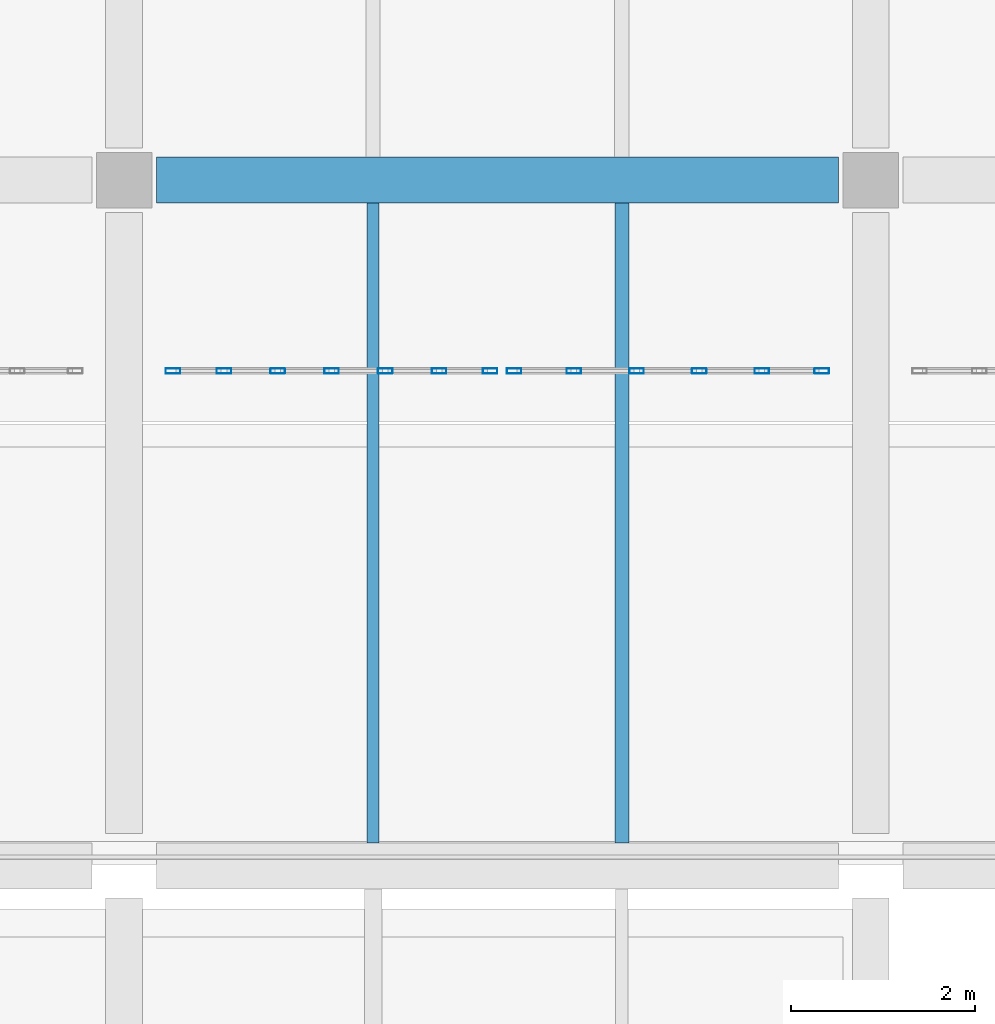
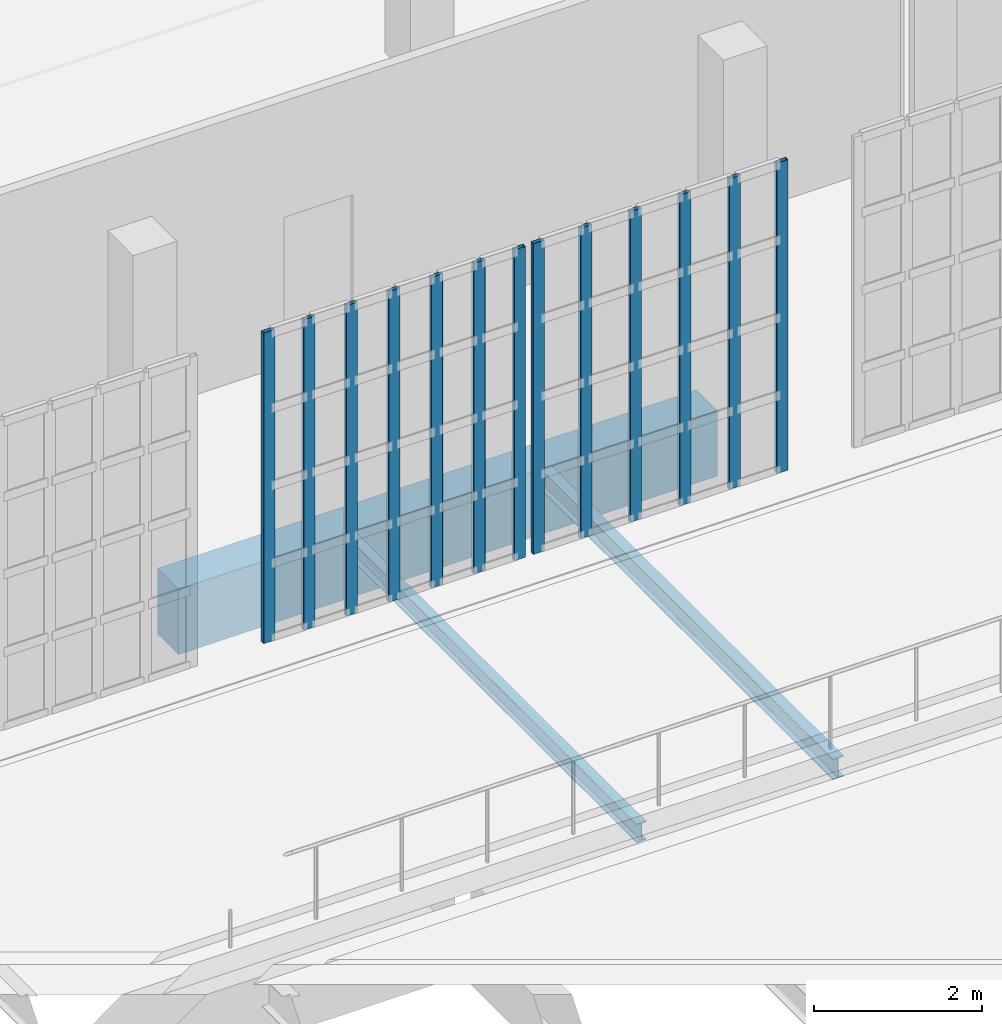
# One storey, part 14 of 104: 13 members, 3 beams, 2 elements without a shape of their own.
"""IFC4 building model written with IfcOpenShell, lengths in metres."""

import ifcopenshell
import ifcopenshell.guid

model = None  # the IFC model being written
_history = None  # IfcOwnerHistory: only IFC2X3 demands one
_inside = {}  # id of a spatial element -> (the spatial element, [elements in it])
_under = {}  # id of a project, library or spatial element -> (it, [spatial elements below it])
_declared = {}  # id of a project -> (the project, [libraries it declares])
_typed = {}  # id of a type object -> (the type object, [elements of that type])
_made_of = {}  # id of a material, layer set ... -> (it, [elements and type objects made of it])


def new_model(schema):
    """Start an empty IFC model of exactly this schema.

    Asked for "IFC4X3", IfcOpenShell would pick the latest addendum, in which some entities
    have other attributes; the version numbers below select the first issue.
    IFC2X3 requires an IfcOwnerHistory on every rooted entity: one is made here for all.
    """
    global model, _history
    if schema == "IFC4X3":
        model = ifcopenshell.file(schema_version=(4, 3, 0, 0))
    else:
        model = ifcopenshell.file(schema=schema)
    _inside.clear()
    _under.clear()
    _declared.clear()
    _typed.clear()
    _made_of.clear()
    _history = None
    if model.schema == "IFC2X3":
        org = make("IfcOrganization", Name="unknown")
        user = make(
            "IfcPersonAndOrganization",
            ThePerson=make("IfcPerson", FamilyName="unknown"),
            TheOrganization=org,
        )
        app = make(
            "IfcApplication",
            ApplicationDeveloper=org,
            Version="unknown",
            ApplicationFullName="unknown",
            ApplicationIdentifier="unknown",
        )
        _history = make(
            "IfcOwnerHistory",
            OwningUser=user,
            OwningApplication=app,
            ChangeAction="ADDED",
            CreationDate=0,
        )
    return model


def make(cls, **values):
    """One entity of the class cls with the attributes given. An attribute that is None is left unset."""
    return model.create_entity(
        cls, **{name: value for name, value in values.items() if value is not None}
    )


def rooted(cls, **values):
    """An entity with a GlobalId (a new one), such as an element, a storey or a relation."""
    return make(cls, GlobalId=ifcopenshell.guid.new(), OwnerHistory=_history, **values)


def si_unit(unit_type, name, prefix=None):
    """IfcSIUnit, for example si_unit("LENGTHUNIT", "METRE", prefix="MILLI")."""
    return make("IfcSIUnit", UnitType=unit_type, Prefix=prefix, Name=name)


def assignment(units):
    """IfcUnitAssignment: the units of a project."""
    return None if units is None else make("IfcUnitAssignment", Units=units)


def point(xyz):
    """IfcCartesianPoint."""
    return None if xyz is None else make("IfcCartesianPoint", Coordinates=xyz)


def direction(xyz):
    """IfcDirection."""
    return None if xyz is None else make("IfcDirection", DirectionRatios=xyz)


def frame(location, z_axis=None, x_axis=None):
    """IfcAxis2Placement3D, a coordinate frame: its origin and axes. An axis left out is left unset."""
    return make(
        "IfcAxis2Placement3D",
        Location=point(location),
        Axis=direction(z_axis),
        RefDirection=direction(x_axis),
    )


def frame_2d(location, x_axis=None):
    """IfcAxis2Placement2D, a coordinate frame in the plane: its origin and x axis."""
    return make(
        "IfcAxis2Placement2D", Location=point(location), RefDirection=direction(x_axis)
    )


def origin():
    """The frame at (0, 0, 0) with its axes left unset."""
    return frame((0.0, 0.0, 0.0))


def origin_2d():
    """The frame at (0, 0) in the plane with its x axis left unset."""
    return frame_2d((0.0, 0.0))


def place(relative_to, where):
    """IfcLocalPlacement: puts the frame where relative to a parent placement (None: the world)."""
    return make(
        "IfcLocalPlacement", PlacementRelTo=relative_to, RelativePlacement=where
    )


def context(
    kind, dimensions, precision=None, world=None, true_north=None, identifier=None
):
    """IfcGeometricRepresentationContext, for example the 3D "Model" context."""
    return make(
        "IfcGeometricRepresentationContext",
        ContextIdentifier=identifier,
        ContextType=kind,
        CoordinateSpaceDimension=dimensions,
        Precision=precision,
        WorldCoordinateSystem=world,
        TrueNorth=true_north,
    )


def subcontext(parent, identifier, kind, view, scale=None):
    """IfcGeometricRepresentationSubContext, for example "Body" below "Model"."""
    return make(
        "IfcGeometricRepresentationSubContext",
        ContextIdentifier=identifier,
        ContextType=kind,
        ParentContext=parent,
        TargetScale=scale,
        TargetView=view,
    )


def project(units=None, contexts=None):
    """IfcProject with its units and contexts."""
    return rooted(
        "IfcProject",
        Name="project",
        RepresentationContexts=contexts,
        UnitsInContext=assignment(units),
    )


def spatial(cls, under=None, at=None, **own):
    """A site, building, storey or space (cls), placed at a placement, below another one or the project."""
    s = rooted(cls, ObjectPlacement=at, **own)
    if under is not None:
        _under.setdefault(under.id(), (under, []))[1].append(s)
    return s


def profile(cls, at=None, kind="AREA", **sizes):
    """A parametric profile (cls). Its sizes go by their IFC names, for example OverallWidth=200.0."""
    return make(cls, ProfileType=kind, Position=at, **sizes)


def rectangle(**sizes):
    """IfcRectangleProfileDef."""
    return profile("IfcRectangleProfileDef", **sizes)


def hollow_rectangle(**sizes):
    """IfcRectangleHollowProfileDef."""
    return profile("IfcRectangleHollowProfileDef", **sizes)


def i_section(**sizes):
    """IfcIShapeProfileDef."""
    return profile("IfcIShapeProfileDef", **sizes)


def extrude(swept, where, along, depth):
    """IfcExtrudedAreaSolid: the profile swept, set in the frame where, extruded along a direction by depth."""
    return make(
        "IfcExtrudedAreaSolid",
        SweptArea=swept,
        Position=where,
        ExtrudedDirection=direction(along),
        Depth=depth,
    )


def shape(context_of_items, identifier, shape_type, items):
    """IfcShapeRepresentation: the items that make up one representation, for example the "Body"."""
    return make(
        "IfcShapeRepresentation",
        ContextOfItems=context_of_items,
        RepresentationIdentifier=identifier,
        RepresentationType=shape_type,
        Items=items,
    )


def material(Name=None, Category=None):
    """IfcMaterial."""
    return make("IfcMaterial", Name=Name, Category=Category)


def material_profile(
    of_material, cross_section, Name=None, Category=None, Priority=None
):
    """IfcMaterialProfile: a cross section and its material."""
    return make(
        "IfcMaterialProfile",
        Name=Name,
        Material=of_material,
        Profile=cross_section,
        Priority=Priority,
        Category=Category,
    )


def profile_set(profiles, Name=None, composite=None):
    """IfcMaterialProfileSet."""
    return make(
        "IfcMaterialProfileSet",
        Name=Name,
        MaterialProfiles=profiles,
        CompositeProfile=composite,
    )


def made_of(thing, what):
    """Note that an element or type object is made of a material, layer set ...; save() writes the relation."""
    if what is not None:
        _made_of.setdefault(what.id(), (what, []))[1].append(thing)
    return thing


def type_object(cls, material=None, **own):
    """A type object (cls), such as IfcWallType, which elements share."""
    return made_of(rooted(cls, **own), material)


def element(
    cls,
    number,
    at=None,
    inside=None,
    cuts=None,
    type_object=None,
    material=None,
    context=None,
    identifier="Body",
    shape_type=None,
    held_by="IfcProductDefinitionShape",
    body=None,
    shapes=None,
    **own,
):
    """One element of the class cls, such as IfcWall. Its Tag is "e" and its number.

    at: its placement. inside: the storey or other place that contains it. cuts: it is an
    opening in that element (IfcRelVoidsElement). A single representation is given by context,
    identifier, shape_type and body (its items); several are given by shapes. held_by: the class
    of the entity that holds the representations. save() writes the other relations.
    """
    e = rooted(cls, Tag="e%d" % number, ObjectPlacement=at, **own)
    if body is not None:
        shapes = [shape(context, identifier, shape_type, body)]
    if shapes is not None:
        e.Representation = make(held_by, Representations=shapes)
    if inside is not None:
        _inside.setdefault(inside.id(), (inside, []))[1].append(e)
    if cuts is not None:
        rooted(
            "IfcRelVoidsElement", RelatingBuildingElement=cuts, RelatedOpeningElement=e
        )
    if type_object is not None:
        _typed.setdefault(type_object.id(), (type_object, []))[1].append(e)
    return made_of(e, material)


def aggregate(whole, parts):
    """IfcRelAggregates: a whole, such as a stair, and the parts it consists of."""
    return rooted("IfcRelAggregates", RelatingObject=whole, RelatedObjects=parts)


def save(model, path):
    """Write the relations noted so far, then the file.

    IfcRelAggregates (storeys below a building ...), IfcRelContainedInSpatialStructure (elements
    in a storey), IfcRelDefinesByType, IfcRelAssociatesMaterial and IfcRelDeclares: one each for
    every whole, place, type object, material and project.
    """
    for whole, parts in _under.values():
        aggregate(whole, parts)
    for where, things in _inside.values():
        rooted(
            "IfcRelContainedInSpatialStructure",
            RelatedElements=things,
            RelatingStructure=where,
        )
    for kind, things in _typed.values():
        rooted("IfcRelDefinesByType", RelatedObjects=things, RelatingType=kind)
    for what, things in _made_of.values():
        rooted("IfcRelAssociatesMaterial", RelatedObjects=things, RelatingMaterial=what)
    for by, libraries in _declared.values():
        rooted("IfcRelDeclares", RelatingContext=by, RelatedDefinitions=libraries)
    model.write(path)


model = new_model("IFC4")

# Units and contexts
model_context = context("Model", 3, precision=1e-05, world=origin(), true_north=direction((0.0, 1.0)))
body_context = subcontext(model_context, "Body", "Model", "MODEL_VIEW")
ifc_project = project(units=[si_unit("LENGTHUNIT", "METRE"), si_unit("AREAUNIT", "SQUARE_METRE"), si_unit("VOLUMEUNIT", "CUBIC_METRE"), si_unit("PLANEANGLEUNIT", "RADIAN"), si_unit("MASSUNIT", "GRAM", prefix="KILO")], contexts=[model_context])

# Site, building, storey
site_placement = place(None, origin())
site = spatial("IfcSite", under=ifc_project, at=site_placement, CompositionType="ELEMENT")
building_placement = place(site_placement, origin())
building = spatial("IfcBuilding", under=site, at=building_placement, Name="Kaelora Sail Theatre", CompositionType="ELEMENT")
storey_placement = place(building_placement, frame((0.0, 0.0, 5.39990234375)))
storey = spatial("IfcBuildingStorey", under=building, at=storey_placement, Name="L01", CompositionType="ELEMENT", Elevation=5.39990234375)

# Curtain wall, members
ifc_material_1 = material(Name="Anodised aluminium and solar-control low-E IGU", Category="aluminium")
curtain_wall_type = type_object("IfcCurtainWallType", Name="ARC-CW-CW-FOY2", PredefinedType="NOTDEFINED", material=ifc_material_1)
curtain_wall_1_placement = place(storey_placement, origin())
curtain_wall_1 = element("IfcCurtainWall", 1, at=curtain_wall_1_placement, inside=storey, type_object=curtain_wall_type, Name="Glazed Foyer/Conservatory Curtain Wall FW1-S-L01-02", PredefinedType="NOTDEFINED")
ifc_material_2 = material(Name="Anodised aluminium 6063-T6", Category="aluminium")
ifc_material_profile_1 = material_profile(ifc_material_2, hollow_rectangle(XDim=0.06005859375, YDim=0.159912109375, WallThickness=0.00390625, InnerFilletRadius=0.00390625, OuterFilletRadius=0.008056640625, at=origin_2d()), Name="ALU-MULL 60x160x4")
ifc_profile_set_1 = profile_set([ifc_material_profile_1], Name="Anodised aluminium 6063-T6")
member_type = type_object("IfcMemberType", Name="ARC-MEM-ML-160", PredefinedType="MULLION", material=ifc_profile_set_1)
member_1_placement = place(storey_placement, frame((10.1298828125, 66.389892578125, 0.0), z_axis=(0.0, 0.0, 1.0), x_axis=(0.0, 1.0, 0.0)))
member_1 = element("IfcMember", 2, at=member_1_placement, type_object=member_type, Name="CW-FOY2 mullion 1", PredefinedType="MULLION", context=body_context, shape_type="SweptSolid", body=[
    extrude(hollow_rectangle(XDim=0.06005859375, YDim=0.159912109375, WallThickness=0.00390625, InnerFilletRadius=0.00390625, OuterFilletRadius=0.008056640625, at=origin_2d()), origin(), (0.0, 0.0, 1.0), 4.505126953125),
])
member_2_placement = place(storey_placement, frame((10.683349609375, 66.389892578125, 0.0), z_axis=(0.0, 0.0, 1.0), x_axis=(0.0, 1.0, 0.0)))
member_2 = element("IfcMember", 3, at=member_2_placement, type_object=member_type, Name="CW-FOY2 mullion 2", PredefinedType="MULLION", context=body_context, shape_type="SweptSolid", body=[
    extrude(hollow_rectangle(XDim=0.06005859375, YDim=0.159912109375, WallThickness=0.00390625, InnerFilletRadius=0.00390625, OuterFilletRadius=0.008056640625, at=origin_2d()), origin(), (0.0, 0.0, 1.0), 4.505126953125),
])
member_3_placement = place(storey_placement, frame((11.2666015625, 66.389892578125, 0.0), z_axis=(0.0, 0.0, 1.0), x_axis=(0.0, 1.0, 0.0)))
member_3 = element("IfcMember", 4, at=member_3_placement, type_object=member_type, Name="CW-FOY2 mullion 3", PredefinedType="MULLION", context=body_context, shape_type="SweptSolid", body=[
    extrude(hollow_rectangle(XDim=0.06005859375, YDim=0.159912109375, WallThickness=0.00390625, InnerFilletRadius=0.00390625, OuterFilletRadius=0.008056640625, at=origin_2d()), origin(), (0.0, 0.0, 1.0), 4.505126953125),
])
member_4_placement = place(storey_placement, frame((11.85009765625, 66.389892578125, 0.0), z_axis=(0.0, 0.0, 1.0), x_axis=(0.0, 1.0, 0.0)))
member_4 = element("IfcMember", 5, at=member_4_placement, type_object=member_type, Name="CW-FOY2 mullion 4", PredefinedType="MULLION", context=body_context, shape_type="SweptSolid", body=[
    extrude(hollow_rectangle(XDim=0.06005859375, YDim=0.159912109375, WallThickness=0.00390625, InnerFilletRadius=0.00390625, OuterFilletRadius=0.008056640625, at=origin_2d()), origin(), (0.0, 0.0, 1.0), 4.505126953125),
])
member_5_placement = place(storey_placement, frame((12.433349609375, 66.389892578125, 0.0), z_axis=(0.0, 0.0, 1.0), x_axis=(0.0, 1.0, 0.0)))
member_5 = element("IfcMember", 6, at=member_5_placement, type_object=member_type, Name="CW-FOY2 mullion 5", PredefinedType="MULLION", context=body_context, shape_type="SweptSolid", body=[
    extrude(hollow_rectangle(XDim=0.06005859375, YDim=0.159912109375, WallThickness=0.00390625, InnerFilletRadius=0.00390625, OuterFilletRadius=0.008056640625, at=origin_2d()), origin(), (0.0, 0.0, 1.0), 4.505126953125),
])
member_6_placement = place(storey_placement, frame((13.0166015625, 66.389892578125, 0.0), z_axis=(0.0, 0.0, 1.0), x_axis=(0.0, 1.0, 0.0)))
member_6 = element("IfcMember", 7, at=member_6_placement, type_object=member_type, Name="CW-FOY2 mullion 6", PredefinedType="MULLION", context=body_context, shape_type="SweptSolid", body=[
    extrude(hollow_rectangle(XDim=0.06005859375, YDim=0.159912109375, WallThickness=0.00390625, InnerFilletRadius=0.00390625, OuterFilletRadius=0.008056640625, at=origin_2d()), origin(), (0.0, 0.0, 1.0), 4.505126953125),
])
member_7_placement = place(storey_placement, frame((13.570068359375, 66.389892578125, 0.0), z_axis=(0.0, 0.0, 1.0), x_axis=(0.0, 1.0, 0.0)))
member_7 = element("IfcMember", 8, at=member_7_placement, type_object=member_type, Name="CW-FOY2 mullion 7", PredefinedType="MULLION", context=body_context, shape_type="SweptSolid", body=[
    extrude(hollow_rectangle(XDim=0.06005859375, YDim=0.159912109375, WallThickness=0.00390625, InnerFilletRadius=0.00390625, OuterFilletRadius=0.008056640625, at=origin_2d()), origin(), (0.0, 0.0, 1.0), 4.505126953125),
])
aggregate(curtain_wall_1, [member_1, member_2, member_3, member_4, member_5, member_6, member_7])

curtain_wall_2_placement = place(storey_placement, origin())
curtain_wall_2 = element("IfcCurtainWall", 9, at=curtain_wall_2_placement, inside=storey, type_object=curtain_wall_type, Name="Glazed Foyer/Conservatory Curtain Wall FW1-S-L01-03", PredefinedType="NOTDEFINED")
member_8_placement = place(storey_placement, frame((13.830078125, 66.389892578125, 0.0), z_axis=(0.0, 0.0, 1.0), x_axis=(0.0, 1.0, 0.0)))
member_8 = element("IfcMember", 10, at=member_8_placement, type_object=member_type, Name="CW-FOY2 mullion 1", PredefinedType="MULLION", context=body_context, shape_type="SweptSolid", body=[
    extrude(hollow_rectangle(XDim=0.06005859375, YDim=0.159912109375, WallThickness=0.00390625, InnerFilletRadius=0.00390625, OuterFilletRadius=0.008056640625, at=origin_2d()), origin(), (0.0, 0.0, 1.0), 4.505126953125),
])
member_9_placement = place(storey_placement, frame((14.47998046875, 66.389892578125, 0.0), z_axis=(0.0, 0.0, 1.0), x_axis=(0.0, 1.0, 0.0)))
member_9 = element("IfcMember", 11, at=member_9_placement, type_object=member_type, Name="CW-FOY2 mullion 2", PredefinedType="MULLION", context=body_context, shape_type="SweptSolid", body=[
    extrude(hollow_rectangle(XDim=0.06005859375, YDim=0.159912109375, WallThickness=0.00390625, InnerFilletRadius=0.00390625, OuterFilletRadius=0.008056640625, at=origin_2d()), origin(), (0.0, 0.0, 1.0), 4.505126953125),
])
member_10_placement = place(storey_placement, frame((15.159912109375, 66.389892578125, 0.0), z_axis=(0.0, 0.0, 1.0), x_axis=(0.0, 1.0, 0.0)))
member_10 = element("IfcMember", 12, at=member_10_placement, type_object=member_type, Name="CW-FOY2 mullion 3", PredefinedType="MULLION", context=body_context, shape_type="SweptSolid", body=[
    extrude(hollow_rectangle(XDim=0.06005859375, YDim=0.159912109375, WallThickness=0.00390625, InnerFilletRadius=0.00390625, OuterFilletRadius=0.008056640625, at=origin_2d()), origin(), (0.0, 0.0, 1.0), 4.505126953125),
])
member_11_placement = place(storey_placement, frame((15.840087890625, 66.389892578125, 0.0), z_axis=(0.0, 0.0, 1.0), x_axis=(0.0, 1.0, 0.0)))
member_11 = element("IfcMember", 13, at=member_11_placement, type_object=member_type, Name="CW-FOY2 mullion 4", PredefinedType="MULLION", context=body_context, shape_type="SweptSolid", body=[
    extrude(hollow_rectangle(XDim=0.06005859375, YDim=0.159912109375, WallThickness=0.00390625, InnerFilletRadius=0.00390625, OuterFilletRadius=0.008056640625, at=origin_2d()), origin(), (0.0, 0.0, 1.0), 4.505126953125),
])
member_12_placement = place(storey_placement, frame((16.52001953125, 66.389892578125, 0.0), z_axis=(0.0, 0.0, 1.0), x_axis=(0.0, 1.0, 0.0)))
member_12 = element("IfcMember", 14, at=member_12_placement, type_object=member_type, Name="CW-FOY2 mullion 5", PredefinedType="MULLION", context=body_context, shape_type="SweptSolid", body=[
    extrude(hollow_rectangle(XDim=0.06005859375, YDim=0.159912109375, WallThickness=0.00390625, InnerFilletRadius=0.00390625, OuterFilletRadius=0.008056640625, at=origin_2d()), origin(), (0.0, 0.0, 1.0), 4.505126953125),
])
member_13_placement = place(storey_placement, frame((17.169921875, 66.389892578125, 0.0), z_axis=(0.0, 0.0, 1.0), x_axis=(0.0, 1.0, 0.0)))
member_13 = element("IfcMember", 15, at=member_13_placement, type_object=member_type, Name="CW-FOY2 mullion 6", PredefinedType="MULLION", context=body_context, shape_type="SweptSolid", body=[
    extrude(hollow_rectangle(XDim=0.06005859375, YDim=0.159912109375, WallThickness=0.00390625, InnerFilletRadius=0.00390625, OuterFilletRadius=0.008056640625, at=origin_2d()), origin(), (0.0, 0.0, 1.0), 4.505126953125),
])
aggregate(curtain_wall_2, [member_8, member_9, member_10, member_11, member_12, member_13])

# Beams
ifc_material_3 = material(Name="Concrete C45/55", Category="concrete")
ifc_material_profile_2 = material_profile(ifc_material_3, rectangle(XDim=0.5, YDim=0.949951171875, at=origin_2d()), Name="RC-GRD 500x950")
ifc_profile_set_2 = profile_set([ifc_material_profile_2], Name="Concrete C45/55")
beam_type_1 = type_object("IfcBeamType", Name="STR-BM-GR-RC5095", PredefinedType="T_BEAM", material=ifc_profile_set_2)
beam_1_placement = place(storey_placement, frame((9.949951171875, 68.4599609375, -0.77001953125), z_axis=(1.0, 0.0, 0.0), x_axis=(0.0, 1.0, 0.0)))
element("IfcBeam", 16, at=beam_1_placement, inside=storey, type_object=beam_type_1, Name="Primary beam J 2-3 (L01)", PredefinedType="T_BEAM", context=body_context, shape_type="SweptSolid", body=[
    extrude(rectangle(XDim=0.5, YDim=0.949951171875, at=origin_2d()), origin(), (0.0, 0.0, 1.0), 7.400146484375),
])
ifc_material_4 = material(Name="Steel S355", Category="steel")
ifc_material_profile_3 = material_profile(ifc_material_4, i_section(OverallWidth=0.135009765625, OverallDepth=0.27001953125, WebThickness=0.006591796875, FlangeThickness=0.01025390625, FilletRadius=0.014892578125, at=origin_2d()), Name="IPE 270")
ifc_profile_set_3 = profile_set([ifc_material_profile_3], Name="Steel S355")
beam_type_2 = type_object("IfcBeamType", Name="STR-BM-JS-IPE270", PredefinedType="JOIST", material=ifc_profile_set_3)
beam_2_placement = place(storey_placement, frame((12.300048828125, 61.27001953125, -0.429931640625), z_axis=(0.0, 1.0, 0.0), x_axis=(-1.0, 0.0, 0.0)))
element("IfcBeam", 17, at=beam_2_placement, inside=storey, type_object=beam_type_2, Name="Secondary floor joist 2/I-1 (L01)", PredefinedType="JOIST", context=body_context, shape_type="SweptSolid", body=[
    extrude(i_section(OverallWidth=0.135009765625, OverallDepth=0.27001953125, WebThickness=0.006591796875, FlangeThickness=0.01025390625, FilletRadius=0.014892578125, at=origin_2d()), origin(), (0.0, 0.0, 1.0), 6.93994140625),
])
ifc_material_5 = material(Name="Steel S355", Category="steel")
ifc_material_profile_4 = material_profile(ifc_material_5, i_section(OverallWidth=0.14990234375, OverallDepth=0.300048828125, WebThickness=0.007080078125, FlangeThickness=0.0107421875, FilletRadius=0.014892578125, at=origin_2d()), Name="IPE 300")
ifc_profile_set_4 = profile_set([ifc_material_profile_4], Name="Steel S355")
beam_type_3 = type_object("IfcBeamType", Name="STR-BM-JS-IPE300", PredefinedType="JOIST", material=ifc_profile_set_4)
beam_3_placement = place(storey_placement, frame((15.0, 61.27001953125, -0.44482421875), z_axis=(0.0, 1.0, 0.0), x_axis=(-1.0, 0.0, 0.0)))
element("IfcBeam", 18, at=beam_3_placement, inside=storey, type_object=beam_type_3, Name="Secondary floor joist 2/I-2 (L01)", PredefinedType="JOIST", context=body_context, shape_type="SweptSolid", body=[
    extrude(i_section(OverallWidth=0.14990234375, OverallDepth=0.300048828125, WebThickness=0.007080078125, FlangeThickness=0.0107421875, FilletRadius=0.014892578125, at=origin_2d()), origin(), (0.0, 0.0, 1.0), 6.93994140625),
])

save(model, "model.ifc")
